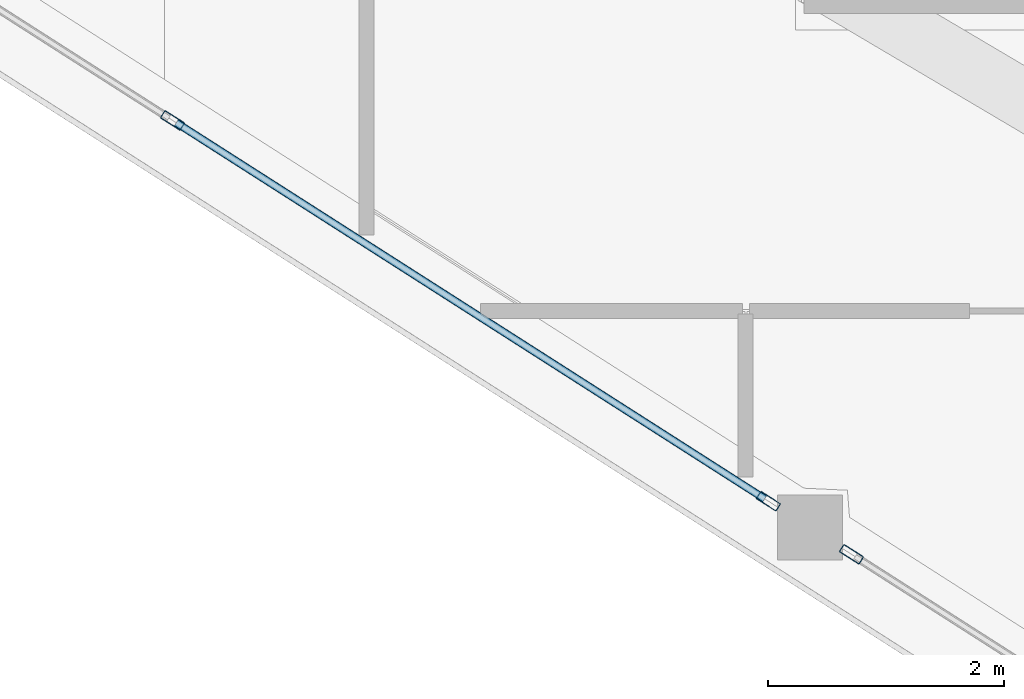
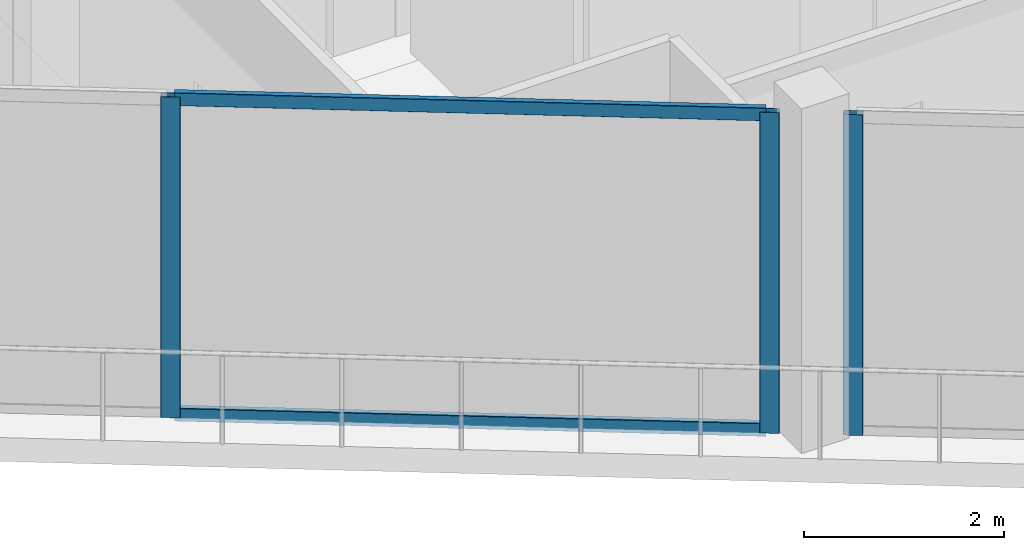
# One storey, part 2 of 25: 5 members, 2 elements without a shape of their own.
"""IFC4 building model written with IfcOpenShell, lengths in metres."""

from ifc_helpers import new_model, si_unit, direction, frame, origin, origin_2d, place, context, subcontext, project, spatial, hollow_rectangle, extrude, material, layer, layer_set, material_profile, profile_set, type_object, element, aggregate, save


model = new_model("IFC4")

# Units and contexts
model_context = context("Model", 3, precision=1e-05, world=origin(), true_north=direction((0.0, 1.0)))
body_context = subcontext(model_context, "Body", "Model", "MODEL_VIEW")
ifc_project = project(units=[si_unit("LENGTHUNIT", "METRE"), si_unit("AREAUNIT", "SQUARE_METRE"), si_unit("VOLUMEUNIT", "CUBIC_METRE"), si_unit("PLANEANGLEUNIT", "RADIAN"), si_unit("MASSUNIT", "GRAM", prefix="KILO")], contexts=[model_context])

# Site, building, storey
site_placement = place(None, origin())
site = spatial("IfcSite", under=ifc_project, at=site_placement, CompositionType="ELEMENT")
building_placement = place(site_placement, origin())
building = spatial("IfcBuilding", under=site, at=building_placement, Name="Qorvath Tower", CompositionType="ELEMENT")
storey_placement = place(building_placement, frame((0.0, 0.0, 297.60009765625)))
storey = spatial("IfcBuildingStorey", under=building, at=storey_placement, Name="L69", CompositionType="ELEMENT", Elevation=297.60009765625)

# Curtain wall, members
ifc_material_1 = material(Name="Anodised aluminium and triple low-E glass", Category="aluminium")
ifc_layer = layer(ifc_material_1, 0.179931640625)
ifc_layer_set = layer_set([ifc_layer], Name="CW-SYS-5")
curtain_wall_type = type_object("IfcCurtainWallType", Name="CW-SYS-5", PredefinedType="NOTDEFINED", material=ifc_layer_set)
curtain_wall_1_placement = place(storey_placement, origin())
curtain_wall_1 = element("IfcCurtainWall", 1, at=curtain_wall_1_placement, inside=storey, type_object=curtain_wall_type, Name="Curtain Wall CW-5 CW-T-L69-2.1", PredefinedType="NOTDEFINED")
ifc_material_2 = material(Name="Anodised aluminium 6063-T6", Category="aluminium")
ifc_material_profile_1 = material_profile(ifc_material_2, hollow_rectangle(XDim=0.074951171875, YDim=0.199951171875, WallThickness=0.00390625, InnerFilletRadius=0.00390625, OuterFilletRadius=0.008056640625, at=origin_2d()), Name="CWM 200x75")
ifc_profile_set_1 = profile_set([ifc_material_profile_1], Name="Anodised aluminium 6063-T6")
member_type_1 = type_object("IfcMemberType", Name="CWM-200", PredefinedType="MULLION", material=ifc_profile_set_1)
member_1_placement = place(storey_placement, frame((-39.500732421875, -9.34375, 0.0), z_axis=(0.0, 0.0, 1.0), x_axis=(0.538537046665, 0.842601833234, 0.0)))
member_1 = element("IfcMember", 2, at=member_1_placement, type_object=member_type_1, Name="CW-5 mullion 3", PredefinedType="MULLION", context=body_context, shape_type="SweptSolid", body=[
    extrude(hollow_rectangle(XDim=0.074951171875, YDim=0.199951171875, WallThickness=0.00390625, InnerFilletRadius=0.00390625, OuterFilletRadius=0.008056640625, at=origin_2d()), origin(), (0.0, 0.0, 1.0), 3.909912109375),
])
member_2_placement = place(storey_placement, frame((-34.455810546875, -12.56787109375, 0.0), z_axis=(0.0, 0.0, 1.0), x_axis=(0.538537046665, 0.842601833234, 0.0)))
member_2 = element("IfcMember", 3, at=member_2_placement, type_object=member_type_1, Name="CW-5 mullion 4", PredefinedType="MULLION", context=body_context, shape_type="SweptSolid", body=[
    extrude(hollow_rectangle(XDim=0.074951171875, YDim=0.199951171875, WallThickness=0.00390625, InnerFilletRadius=0.00390625, OuterFilletRadius=0.008056640625, at=origin_2d()), origin(), (0.0, 0.0, 1.0), 3.909912109375),
])

# Curtain wall, member
curtain_wall_2_placement = place(storey_placement, origin())
curtain_wall_2 = element("IfcCurtainWall", 4, at=curtain_wall_2_placement, inside=storey, type_object=curtain_wall_type, Name="Curtain Wall CW-5 CW-T-L69-2.2", PredefinedType="NOTDEFINED")
member_3_placement = place(storey_placement, frame((-33.752685546875, -13.017333984375, 0.0), z_axis=(0.0, 0.0, 1.0), x_axis=(0.538533818494, 0.842603896465, 0.0)))
member_3 = element("IfcMember", 5, at=member_3_placement, type_object=member_type_1, Name="CW-5 mullion 1", PredefinedType="MULLION", context=body_context, shape_type="SweptSolid", body=[
    extrude(hollow_rectangle(XDim=0.074951171875, YDim=0.199951171875, WallThickness=0.00390625, InnerFilletRadius=0.00390625, OuterFilletRadius=0.008056640625, at=origin_2d()), origin(), (0.0, 0.0, 1.0), 3.909912109375),
])
aggregate(curtain_wall_2, [member_3])

# Member
ifc_material_3 = material(Name="Anodised aluminium 6063-T6", Category="aluminium")
ifc_material_profile_2 = material_profile(ifc_material_3, hollow_rectangle(XDim=0.06494140625, YDim=0.159912109375, WallThickness=0.00341796875, InnerFilletRadius=0.00341796875, OuterFilletRadius=0.007080078125, at=origin_2d()), Name="CWT 160x65")
ifc_profile_set_2 = profile_set([ifc_material_profile_2], Name="Anodised aluminium 6063-T6")
member_type_2 = type_object("IfcMemberType", Name="CWT-160", PredefinedType="USERDEFINED", material=ifc_profile_set_2)
member_4_placement = place(storey_placement, frame((-39.468994140625, -9.36376953125, 0.032470703125), z_axis=(0.84260048537, -0.538539155544, 0.0), x_axis=(0.538539155544, 0.84260048537, 0.0)))
member_4 = element("IfcMember", 6, at=member_4_placement, type_object=member_type_2, Name="CW-5 transom 3.1", ObjectType="TRANSOM", PredefinedType="USERDEFINED", context=body_context, shape_type="SweptSolid", body=[
    extrude(hollow_rectangle(XDim=0.06494140625, YDim=0.159912109375, WallThickness=0.00341796875, InnerFilletRadius=0.00341796875, OuterFilletRadius=0.007080078125, at=origin_2d()), origin(), (0.0, 0.0, 1.0), 5.912109375),
])

member_5_placement = place(storey_placement, frame((-39.468994140625, -9.36376953125, 3.87744140625), z_axis=(0.84260048537, -0.538539155544, 0.0), x_axis=(0.538539155544, 0.84260048537, 0.0)))
member_5 = element("IfcMember", 7, at=member_5_placement, type_object=member_type_2, Name="CW-5 transom 3.2", ObjectType="TRANSOM", PredefinedType="USERDEFINED", context=body_context, shape_type="SweptSolid", body=[
    extrude(hollow_rectangle(XDim=0.06494140625, YDim=0.159912109375, WallThickness=0.00341796875, InnerFilletRadius=0.00341796875, OuterFilletRadius=0.007080078125, at=origin_2d()), origin(), (0.0, 0.0, 1.0), 5.912109375),
])

aggregate(curtain_wall_1, [member_1, member_2, member_4, member_5])

save(model, "model.ifc")
